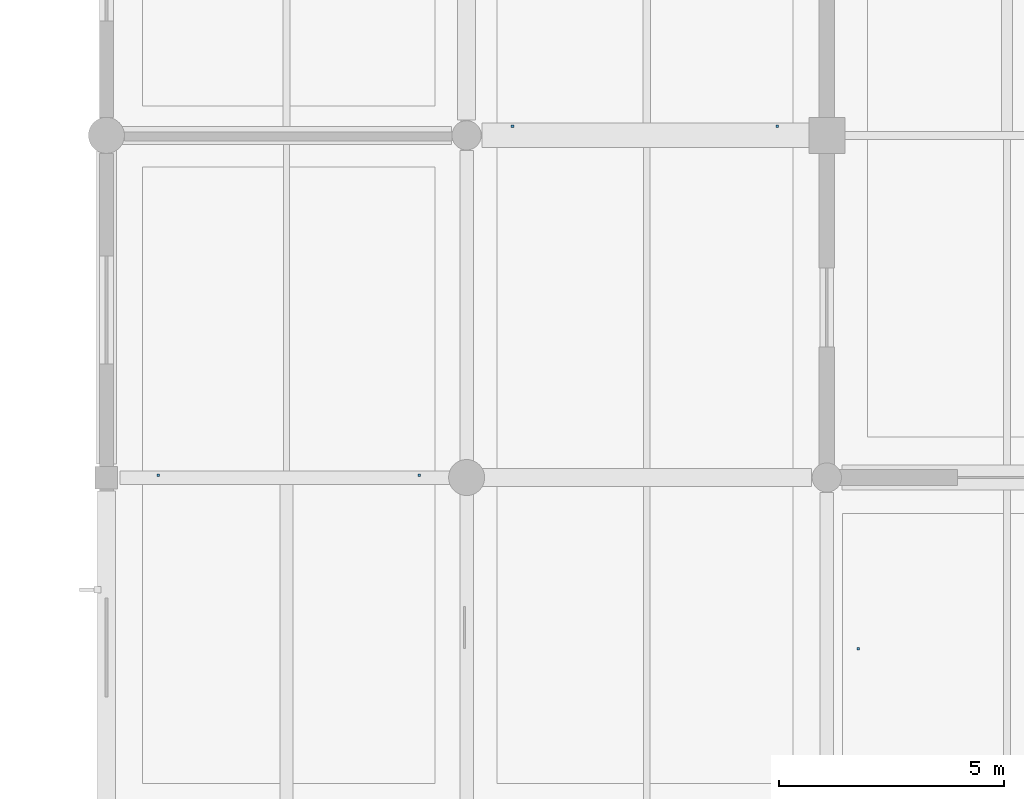
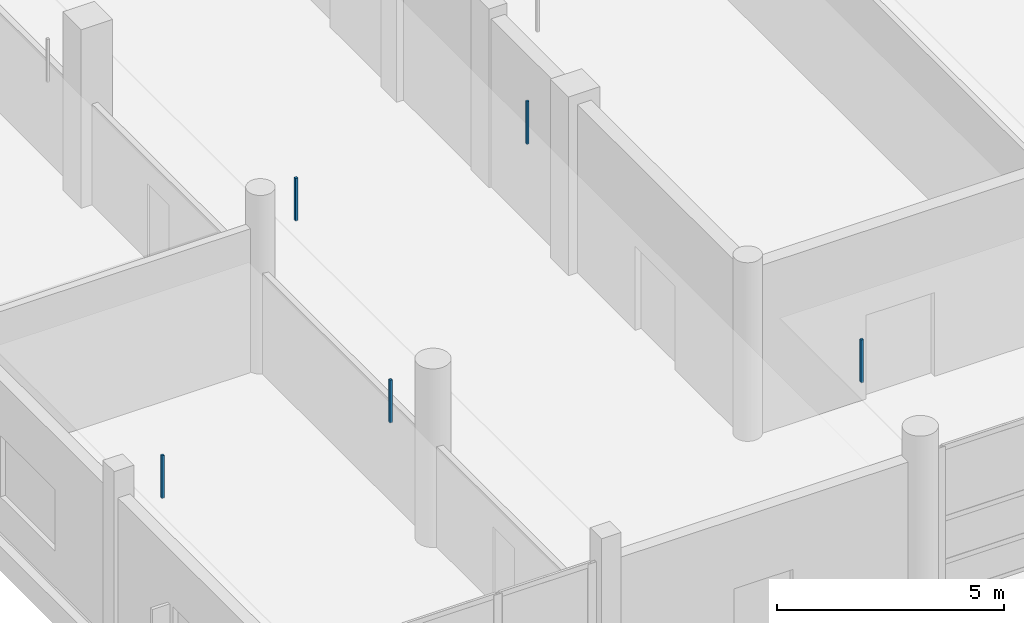
# One storey, part 106 of 141: 5 discrete accessories.
"""IFC4 building model written with IfcOpenShell, lengths in metres."""

from ifc_helpers import new_model, si_unit, direction, frame, origin, origin_2d, place, context, subcontext, project, spatial, rectangle, extrude, material, type_object, element, save


model = new_model("IFC4")

# Units and contexts
model_context = context("Model", 3, precision=1e-05, world=origin(), true_north=direction((0.0, 1.0)))
body_context = subcontext(model_context, "Body", "Model", "MODEL_VIEW")
ifc_project = project(units=[si_unit("LENGTHUNIT", "METRE"), si_unit("AREAUNIT", "SQUARE_METRE"), si_unit("VOLUMEUNIT", "CUBIC_METRE"), si_unit("PLANEANGLEUNIT", "RADIAN"), si_unit("MASSUNIT", "GRAM", prefix="KILO")], contexts=[model_context])

# Site, building, storey
site_placement = place(None, origin())
site = spatial("IfcSite", under=ifc_project, at=site_placement, CompositionType="ELEMENT")
building_placement = place(site_placement, origin())
building = spatial("IfcBuilding", under=site, at=building_placement, Name="Khelvaren Railside Concert Hall", CompositionType="ELEMENT")
storey_placement = place(building_placement, frame((0.0, 0.0, 10.199951171875)))
storey = spatial("IfcBuildingStorey", under=building, at=storey_placement, Name="L02", CompositionType="ELEMENT", Elevation=10.199951171875)

# Discrete accessories
ifc_material = material(Name="Galvanised steel acoustic ceiling hanger rod", Category="steel")
discrete_accessory_type = type_object("IfcDiscreteAccessoryType", Name="BRK62", PredefinedType="BRACKET", material=ifc_material)
for number, where, z_axis, x_axis, name in (
    (1, (9.02001953125, 91.39990234375, 3.43017578125), (0.0, 0.0, 1.0), (1.0, 0.0, 0.0), "Acoustic Ceiling Suspension Bracket 116-1"),
    (2, (14.89990234375, 91.39990234375, 3.43017578125), (0.0, 0.0, 1.0), (1.0, 0.0, 0.0), "Acoustic Ceiling Suspension Bracket 116-2"),
    (3, (1.14990234375, 83.64990234375, 3.43017578125), (0.0, 0.0, 1.0), (1.0, 0.0, 0.0), "Acoustic Ceiling Suspension Bracket 120-1"),
    (4, (6.949951171875, 83.64990234375, 3.43017578125), (0.0, 0.0, 1.0), (1.0, 0.0, 0.0), "Acoustic Ceiling Suspension Bracket 120-2"),
    (5, (16.699951171875, 79.800048828125, 3.43017578125), (0.0, 0.0, 1.0), (1.0, 0.0, 0.0), "Acoustic Ceiling Suspension Bracket 124-1"),
):
    element("IfcDiscreteAccessory", number, at=place(storey_placement, frame(where, z_axis=z_axis, x_axis=x_axis)), inside=storey, type_object=discrete_accessory_type, Name=name, PredefinedType="BRACKET", context=body_context, shape_type="SweptSolid", body=[
        extrude(rectangle(XDim=0.06005859375, YDim=0.06005859375, at=origin_2d()), origin(), (0.0, 0.0, 1.0), 1.14990234375),
    ])

save(model, "model.ifc")
